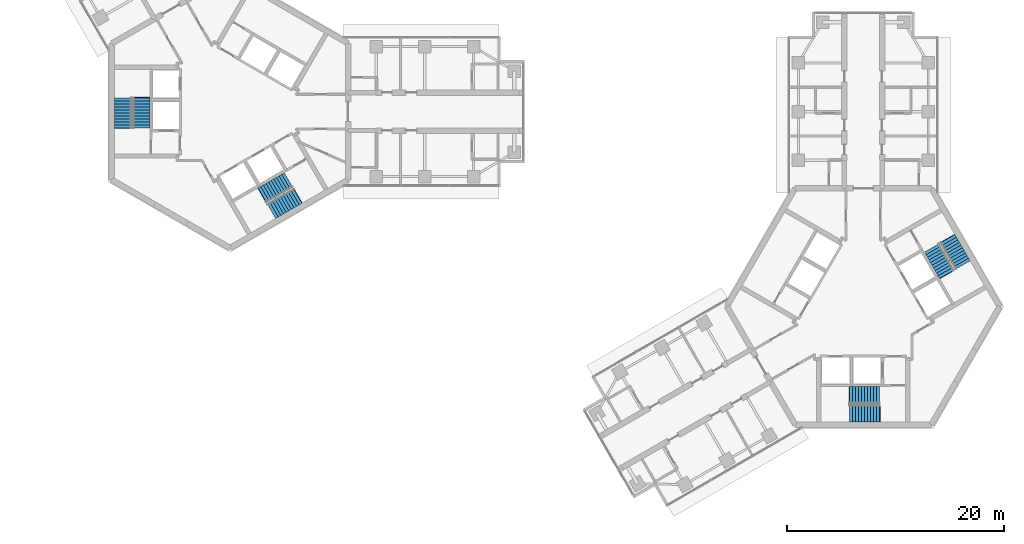
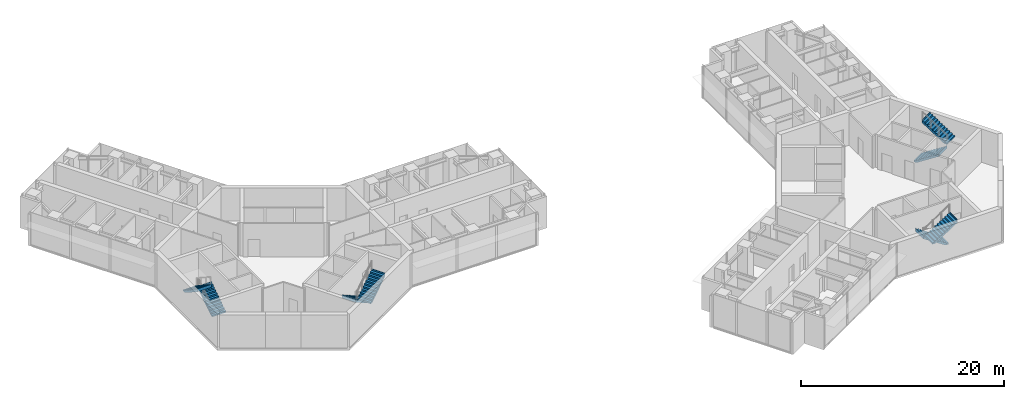
# One storey, part 16 of 17: 8 stair flights, 4 elements without a shape of their own.
"""IFC4 building model written with IfcOpenShell, lengths in metres."""

import ifcopenshell
import ifcopenshell.guid

model = None  # the IFC model being written
_history = None  # IfcOwnerHistory: only IFC2X3 demands one
_inside = {}  # id of a spatial element -> (the spatial element, [elements in it])
_under = {}  # id of a project, library or spatial element -> (it, [spatial elements below it])
_declared = {}  # id of a project -> (the project, [libraries it declares])
_typed = {}  # id of a type object -> (the type object, [elements of that type])
_made_of = {}  # id of a material, layer set ... -> (it, [elements and type objects made of it])


def new_model(schema):
    """Start an empty IFC model of exactly this schema.

    Asked for "IFC4X3", IfcOpenShell would pick the latest addendum, in which some entities
    have other attributes; the version numbers below select the first issue.
    IFC2X3 requires an IfcOwnerHistory on every rooted entity: one is made here for all.
    """
    global model, _history
    if schema == "IFC4X3":
        model = ifcopenshell.file(schema_version=(4, 3, 0, 0))
    else:
        model = ifcopenshell.file(schema=schema)
    _inside.clear()
    _under.clear()
    _declared.clear()
    _typed.clear()
    _made_of.clear()
    _history = None
    if model.schema == "IFC2X3":
        org = make("IfcOrganization", Name="unknown")
        user = make(
            "IfcPersonAndOrganization",
            ThePerson=make("IfcPerson", FamilyName="unknown"),
            TheOrganization=org,
        )
        app = make(
            "IfcApplication",
            ApplicationDeveloper=org,
            Version="unknown",
            ApplicationFullName="unknown",
            ApplicationIdentifier="unknown",
        )
        _history = make(
            "IfcOwnerHistory",
            OwningUser=user,
            OwningApplication=app,
            ChangeAction="ADDED",
            CreationDate=0,
        )
    return model


def make(cls, **values):
    """One entity of the class cls with the attributes given. An attribute that is None is left unset."""
    return model.create_entity(
        cls, **{name: value for name, value in values.items() if value is not None}
    )


def rooted(cls, **values):
    """An entity with a GlobalId (a new one), such as an element, a storey or a relation."""
    return make(cls, GlobalId=ifcopenshell.guid.new(), OwnerHistory=_history, **values)


def si_unit(unit_type, name, prefix=None):
    """IfcSIUnit, for example si_unit("LENGTHUNIT", "METRE", prefix="MILLI")."""
    return make("IfcSIUnit", UnitType=unit_type, Prefix=prefix, Name=name)


def assignment(units):
    """IfcUnitAssignment: the units of a project."""
    return None if units is None else make("IfcUnitAssignment", Units=units)


def point(xyz):
    """IfcCartesianPoint."""
    return None if xyz is None else make("IfcCartesianPoint", Coordinates=xyz)


def direction(xyz):
    """IfcDirection."""
    return None if xyz is None else make("IfcDirection", DirectionRatios=xyz)


def frame(location, z_axis=None, x_axis=None):
    """IfcAxis2Placement3D, a coordinate frame: its origin and axes. An axis left out is left unset."""
    return make(
        "IfcAxis2Placement3D",
        Location=point(location),
        Axis=direction(z_axis),
        RefDirection=direction(x_axis),
    )


def origin():
    """The frame at (0, 0, 0) with its axes left unset."""
    return frame((0.0, 0.0, 0.0))


def place(relative_to, where):
    """IfcLocalPlacement: puts the frame where relative to a parent placement (None: the world)."""
    return make(
        "IfcLocalPlacement", PlacementRelTo=relative_to, RelativePlacement=where
    )


def context(
    kind, dimensions, precision=None, world=None, true_north=None, identifier=None
):
    """IfcGeometricRepresentationContext, for example the 3D "Model" context."""
    return make(
        "IfcGeometricRepresentationContext",
        ContextIdentifier=identifier,
        ContextType=kind,
        CoordinateSpaceDimension=dimensions,
        Precision=precision,
        WorldCoordinateSystem=world,
        TrueNorth=true_north,
    )


def subcontext(parent, identifier, kind, view, scale=None):
    """IfcGeometricRepresentationSubContext, for example "Body" below "Model"."""
    return make(
        "IfcGeometricRepresentationSubContext",
        ContextIdentifier=identifier,
        ContextType=kind,
        ParentContext=parent,
        TargetScale=scale,
        TargetView=view,
    )


def project(units=None, contexts=None):
    """IfcProject with its units and contexts."""
    return rooted(
        "IfcProject",
        Name="project",
        RepresentationContexts=contexts,
        UnitsInContext=assignment(units),
    )


def spatial(cls, under=None, at=None, **own):
    """A site, building, storey or space (cls), placed at a placement, below another one or the project."""
    s = rooted(cls, ObjectPlacement=at, **own)
    if under is not None:
        _under.setdefault(under.id(), (under, []))[1].append(s)
    return s


def polyline(points):
    """IfcPolyline through the points."""
    return make("IfcPolyline", Points=[point(p) for p in points])


def outline(outer, holes=None, kind="AREA"):
    """IfcArbitraryClosedProfileDef: a profile drawn as a closed curve; with holes, ...WithVoids."""
    if holes is None:
        return make("IfcArbitraryClosedProfileDef", ProfileType=kind, OuterCurve=outer)
    return make(
        "IfcArbitraryProfileDefWithVoids",
        ProfileType=kind,
        OuterCurve=outer,
        InnerCurves=holes,
    )


def extrude(swept, where, along, depth):
    """IfcExtrudedAreaSolid: the profile swept, set in the frame where, extruded along a direction by depth."""
    return make(
        "IfcExtrudedAreaSolid",
        SweptArea=swept,
        Position=where,
        ExtrudedDirection=direction(along),
        Depth=depth,
    )


def shape(context_of_items, identifier, shape_type, items):
    """IfcShapeRepresentation: the items that make up one representation, for example the "Body"."""
    return make(
        "IfcShapeRepresentation",
        ContextOfItems=context_of_items,
        RepresentationIdentifier=identifier,
        RepresentationType=shape_type,
        Items=items,
    )


def material(Name=None, Category=None):
    """IfcMaterial."""
    return make("IfcMaterial", Name=Name, Category=Category)


def made_of(thing, what):
    """Note that an element or type object is made of a material, layer set ...; save() writes the relation."""
    if what is not None:
        _made_of.setdefault(what.id(), (what, []))[1].append(thing)
    return thing


def type_object(cls, material=None, **own):
    """A type object (cls), such as IfcWallType, which elements share."""
    return made_of(rooted(cls, **own), material)


def element(
    cls,
    number,
    at=None,
    inside=None,
    cuts=None,
    type_object=None,
    material=None,
    context=None,
    identifier="Body",
    shape_type=None,
    held_by="IfcProductDefinitionShape",
    body=None,
    shapes=None,
    **own,
):
    """One element of the class cls, such as IfcWall. Its Tag is "e" and its number.

    at: its placement. inside: the storey or other place that contains it. cuts: it is an
    opening in that element (IfcRelVoidsElement). A single representation is given by context,
    identifier, shape_type and body (its items); several are given by shapes. held_by: the class
    of the entity that holds the representations. save() writes the other relations.
    """
    e = rooted(cls, Tag="e%d" % number, ObjectPlacement=at, **own)
    if body is not None:
        shapes = [shape(context, identifier, shape_type, body)]
    if shapes is not None:
        e.Representation = make(held_by, Representations=shapes)
    if inside is not None:
        _inside.setdefault(inside.id(), (inside, []))[1].append(e)
    if cuts is not None:
        rooted(
            "IfcRelVoidsElement", RelatingBuildingElement=cuts, RelatedOpeningElement=e
        )
    if type_object is not None:
        _typed.setdefault(type_object.id(), (type_object, []))[1].append(e)
    return made_of(e, material)


def aggregate(whole, parts):
    """IfcRelAggregates: a whole, such as a stair, and the parts it consists of."""
    return rooted("IfcRelAggregates", RelatingObject=whole, RelatedObjects=parts)


def save(model, path):
    """Write the relations noted so far, then the file.

    IfcRelAggregates (storeys below a building ...), IfcRelContainedInSpatialStructure (elements
    in a storey), IfcRelDefinesByType, IfcRelAssociatesMaterial and IfcRelDeclares: one each for
    every whole, place, type object, material and project.
    """
    for whole, parts in _under.values():
        aggregate(whole, parts)
    for where, things in _inside.values():
        rooted(
            "IfcRelContainedInSpatialStructure",
            RelatedElements=things,
            RelatingStructure=where,
        )
    for kind, things in _typed.values():
        rooted("IfcRelDefinesByType", RelatedObjects=things, RelatingType=kind)
    for what, things in _made_of.values():
        rooted("IfcRelAssociatesMaterial", RelatedObjects=things, RelatingMaterial=what)
    for by, libraries in _declared.values():
        rooted("IfcRelDeclares", RelatingContext=by, RelatedDefinitions=libraries)
    model.write(path)


model = new_model("IFC4")

# Units and contexts
model_context = context("Model", 3, precision=1e-05, world=origin(), true_north=direction((0.0, 1.0)))
body_context = subcontext(model_context, "Body", "Model", "MODEL_VIEW")
ifc_project = project(units=[si_unit("LENGTHUNIT", "METRE"), si_unit("AREAUNIT", "SQUARE_METRE"), si_unit("VOLUMEUNIT", "CUBIC_METRE"), si_unit("PLANEANGLEUNIT", "RADIAN"), si_unit("MASSUNIT", "GRAM", prefix="KILO")], contexts=[model_context])

# Site, building, storey
site_placement = place(None, origin())
site = spatial("IfcSite", under=ifc_project, at=site_placement, CompositionType="ELEMENT")
building_placement = place(site_placement, origin())
building = spatial("IfcBuilding", under=site, at=building_placement, Name="Upepo Twin Towers", CompositionType="ELEMENT")
storey_placement = place(building_placement, frame((0.0, 0.0, 202.5)))
storey = spatial("IfcBuildingStorey", under=building, at=storey_placement, Name="L49", CompositionType="ELEMENT", Elevation=202.5)

# Stair, stair flights
ifc_material_1 = material(Name="Concrete C40/50", Category="concrete")
stair_type = type_object("IfcStairType", Name="Core stair, two flights", PredefinedType="HALF_TURN_STAIR", material=ifc_material_1)
stair_1_placement = place(storey_placement, origin())
stair_1 = element("IfcStair", 1, at=stair_1_placement, inside=storey, type_object=stair_type, Name="T1 stair S1 L49", PredefinedType="HALF_TURN_STAIR")
ifc_material_2 = material(Name="Concrete C40/50", Category="concrete")
stair_flight_type = type_object("IfcStairFlightType", Name="Stair flight 1550 RC", PredefinedType="STRAIGHT", material=ifc_material_2)
stair_flight_1_placement = place(storey_placement, frame((-8.175048828125, -1.52001953125, 0.0), z_axis=(0.0, 0.0, 1.0), x_axis=(0.0, 1.0, 0.0)))
stair_flight_1 = element("IfcStairFlight", 2, at=stair_flight_1_placement, type_object=stair_flight_type, Name="Stair S1 flight 1", NumberOfRisers=11, NumberOfTreads=10, PredefinedType="STRAIGHT", RiserHeight=0.181818182, TreadLength=0.28, context=body_context, shape_type="SweptSolid", body=[
    extrude(outline(polyline([(0.0, 0.0), (0.0, 0.181884765625), (0.280029296875, 0.181884765625), (0.280029296875, 0.363525390625), (0.56005859375, 0.363525390625), (0.56005859375, 0.54541015625), (0.840087890625, 0.54541015625), (0.840087890625, 0.727294921875), (1.1201171875, 0.727294921875), (1.1201171875, 0.9091796875), (1.39990234375, 0.9091796875), (1.39990234375, 1.0908203125), (1.679931640625, 1.0908203125), (1.679931640625, 1.272705078125), (1.9599609375, 1.272705078125), (1.9599609375, 1.45458984375), (2.239990234375, 1.45458984375), (2.239990234375, 1.636474609375), (2.52001953125, 1.636474609375), (2.52001953125, 1.818115234375), (2.800048828125, 1.818115234375), (2.800048828125, 2.0), (2.85009765625, 2.0), (2.85009765625, 1.639404296875), (0.3251953125, 0.0), (0.0, 0.0)])), frame((0.0, 0.77490234375, 0.0), z_axis=(0.0, -1.0, 0.0), x_axis=(1.0, 0.0, 0.0)), (0.0, 0.0, 1.0), 1.550048828125),
])
stair_flight_2_placement = place(storey_placement, frame((-9.88330078125, 1.280029296875, 2.0), z_axis=(0.0, 0.0, 1.0), x_axis=(0.0, -1.0, 0.0)))
stair_flight_2 = element("IfcStairFlight", 3, at=stair_flight_2_placement, type_object=stair_flight_type, Name="Stair S1 flight 2", NumberOfRisers=11, NumberOfTreads=10, PredefinedType="STRAIGHT", RiserHeight=0.181818182, TreadLength=0.28, context=body_context, shape_type="SweptSolid", body=[
    extrude(outline(polyline([(0.0, 0.0), (0.0, 0.181884765625), (0.280029296875, 0.181884765625), (0.280029296875, 0.363525390625), (0.56005859375, 0.363525390625), (0.56005859375, 0.54541015625), (0.840087890625, 0.54541015625), (0.840087890625, 0.727294921875), (1.1201171875, 0.727294921875), (1.1201171875, 0.9091796875), (1.39990234375, 0.9091796875), (1.39990234375, 1.0908203125), (1.679931640625, 1.0908203125), (1.679931640625, 1.272705078125), (1.9599609375, 1.272705078125), (1.9599609375, 1.45458984375), (2.239990234375, 1.45458984375), (2.239990234375, 1.636474609375), (2.52001953125, 1.636474609375), (2.52001953125, 1.818115234375), (2.800048828125, 1.818115234375), (2.800048828125, 2.0), (2.85009765625, 2.0), (2.85009765625, 1.639404296875), (0.3251953125, 0.0), (0.0, 0.0)])), frame((0.0, 0.77490234375, 0.0), z_axis=(0.0, -1.0, 0.0), x_axis=(1.0, 0.0, 0.0)), (0.0, 0.0, 1.0), 1.550048828125),
])
aggregate(stair_1, [stair_flight_1, stair_flight_2])

stair_2_placement = place(storey_placement, origin())
stair_2 = element("IfcStair", 4, at=stair_2_placement, inside=storey, type_object=stair_type, Name="T1 stair S2 L49", PredefinedType="HALF_TURN_STAIR")
stair_flight_3_placement = place(storey_placement, frame((5.40380859375, -6.31982421875, 0.0), z_axis=(0.0, 0.0, 1.0), x_axis=(-0.866025403784, -0.5, 0.0)))
stair_flight_3 = element("IfcStairFlight", 5, at=stair_flight_3_placement, type_object=stair_flight_type, Name="Stair S2 flight 1", NumberOfRisers=11, NumberOfTreads=10, PredefinedType="STRAIGHT", RiserHeight=0.181818182, TreadLength=0.28, context=body_context, shape_type="SweptSolid", body=[
    extrude(outline(polyline([(0.0, 0.0), (0.0, 0.181884765625), (0.280029296875, 0.181884765625), (0.280029296875, 0.363525390625), (0.56005859375, 0.363525390625), (0.56005859375, 0.54541015625), (0.840087890625, 0.54541015625), (0.840087890625, 0.727294921875), (1.1201171875, 0.727294921875), (1.1201171875, 0.9091796875), (1.39990234375, 0.9091796875), (1.39990234375, 1.0908203125), (1.679931640625, 1.0908203125), (1.679931640625, 1.272705078125), (1.9599609375, 1.272705078125), (1.9599609375, 1.45458984375), (2.239990234375, 1.45458984375), (2.239990234375, 1.636474609375), (2.52001953125, 1.636474609375), (2.52001953125, 1.818115234375), (2.800048828125, 1.818115234375), (2.800048828125, 2.0), (2.85009765625, 2.0), (2.85009765625, 1.639404296875), (0.3251953125, 0.0), (0.0, 0.0)])), frame((0.0, 0.77490234375, 0.0), z_axis=(0.0, -1.0, 0.0), x_axis=(1.0, 0.0, 0.0)), (0.0, 0.0, 1.0), 1.550048828125),
])
stair_flight_4_placement = place(storey_placement, frame((3.833251953125, -9.19921875, 2.0), z_axis=(0.0, 0.0, 1.0), x_axis=(0.866025403784, 0.5, 0.0)))
stair_flight_4 = element("IfcStairFlight", 6, at=stair_flight_4_placement, type_object=stair_flight_type, Name="Stair S2 flight 2", NumberOfRisers=11, NumberOfTreads=10, PredefinedType="STRAIGHT", RiserHeight=0.181818182, TreadLength=0.28, context=body_context, shape_type="SweptSolid", body=[
    extrude(outline(polyline([(0.0, 0.0), (0.0, 0.181884765625), (0.280029296875, 0.181884765625), (0.280029296875, 0.363525390625), (0.56005859375, 0.363525390625), (0.56005859375, 0.54541015625), (0.840087890625, 0.54541015625), (0.840087890625, 0.727294921875), (1.1201171875, 0.727294921875), (1.1201171875, 0.9091796875), (1.39990234375, 0.9091796875), (1.39990234375, 1.0908203125), (1.679931640625, 1.0908203125), (1.679931640625, 1.272705078125), (1.9599609375, 1.272705078125), (1.9599609375, 1.45458984375), (2.239990234375, 1.45458984375), (2.239990234375, 1.636474609375), (2.52001953125, 1.636474609375), (2.52001953125, 1.818115234375), (2.800048828125, 1.818115234375), (2.800048828125, 2.0), (2.85009765625, 2.0), (2.85009765625, 1.639404296875), (0.3251953125, 0.0), (0.0, 0.0)])), frame((0.0, 0.77490234375, 0.0), z_axis=(0.0, -1.0, 0.0), x_axis=(1.0, 0.0, 0.0)), (0.0, 0.0, 1.0), 1.550048828125),
])
aggregate(stair_2, [stair_flight_3, stair_flight_4])

stair_3_placement = place(storey_placement, origin())
stair_3 = element("IfcStair", 7, at=stair_3_placement, inside=storey, type_object=stair_type, Name="T2 stair S1 L49", PredefinedType="HALF_TURN_STAIR")
stair_flight_5_placement = place(storey_placement, frame((60.02001953125, -26.175048828125, 0.0), z_axis=(0.0, 0.0, 1.0), x_axis=(-1.0, 0.0, 0.0)))
stair_flight_5 = element("IfcStairFlight", 8, at=stair_flight_5_placement, type_object=stair_flight_type, Name="Stair S1 flight 1", NumberOfRisers=11, NumberOfTreads=10, PredefinedType="STRAIGHT", RiserHeight=0.181818182, TreadLength=0.28, context=body_context, shape_type="SweptSolid", body=[
    extrude(outline(polyline([(0.0, 0.0), (0.0, 0.181884765625), (0.280029296875, 0.181884765625), (0.280029296875, 0.363525390625), (0.56005859375, 0.363525390625), (0.56005859375, 0.54541015625), (0.840087890625, 0.54541015625), (0.840087890625, 0.727294921875), (1.1201171875, 0.727294921875), (1.1201171875, 0.9091796875), (1.39990234375, 0.9091796875), (1.39990234375, 1.0908203125), (1.679931640625, 1.0908203125), (1.679931640625, 1.272705078125), (1.9599609375, 1.272705078125), (1.9599609375, 1.45458984375), (2.239990234375, 1.45458984375), (2.239990234375, 1.636474609375), (2.52001953125, 1.636474609375), (2.52001953125, 1.818115234375), (2.800048828125, 1.818115234375), (2.800048828125, 2.0), (2.85009765625, 2.0), (2.85009765625, 1.639404296875), (0.3251953125, 0.0), (0.0, 0.0)])), frame((0.0, 0.77490234375, 0.0), z_axis=(0.0, -1.0, 0.0), x_axis=(1.0, 0.0, 0.0)), (0.0, 0.0, 1.0), 1.550048828125),
])
stair_flight_6_placement = place(storey_placement, frame((57.219970703125, -27.88330078125, 2.0), z_axis=(0.0, 0.0, 1.0), x_axis=(1.0, 0.0, 0.0)))
stair_flight_6 = element("IfcStairFlight", 9, at=stair_flight_6_placement, type_object=stair_flight_type, Name="Stair S1 flight 2", NumberOfRisers=11, NumberOfTreads=10, PredefinedType="STRAIGHT", RiserHeight=0.181818182, TreadLength=0.28, context=body_context, shape_type="SweptSolid", body=[
    extrude(outline(polyline([(0.0, 0.0), (0.0, 0.181884765625), (0.280029296875, 0.181884765625), (0.280029296875, 0.363525390625), (0.56005859375, 0.363525390625), (0.56005859375, 0.54541015625), (0.840087890625, 0.54541015625), (0.840087890625, 0.727294921875), (1.1201171875, 0.727294921875), (1.1201171875, 0.9091796875), (1.39990234375, 0.9091796875), (1.39990234375, 1.0908203125), (1.679931640625, 1.0908203125), (1.679931640625, 1.272705078125), (1.9599609375, 1.272705078125), (1.9599609375, 1.45458984375), (2.239990234375, 1.45458984375), (2.239990234375, 1.636474609375), (2.52001953125, 1.636474609375), (2.52001953125, 1.818115234375), (2.800048828125, 1.818115234375), (2.800048828125, 2.0), (2.85009765625, 2.0), (2.85009765625, 1.639404296875), (0.3251953125, 0.0), (0.0, 0.0)])), frame((0.0, 0.77490234375, 0.0), z_axis=(0.0, -1.0, 0.0), x_axis=(1.0, 0.0, 0.0)), (0.0, 0.0, 1.0), 1.550048828125),
])
aggregate(stair_3, [stair_flight_5, stair_flight_6])

stair_4_placement = place(storey_placement, origin())
stair_4 = element("IfcStair", 10, at=stair_4_placement, inside=storey, type_object=stair_type, Name="T2 stair S2 L49", PredefinedType="HALF_TURN_STAIR")
stair_flight_7_placement = place(storey_placement, frame((64.81982421875, -12.59619140625, 0.0), z_axis=(0.0, 0.0, 1.0), x_axis=(0.5, -0.866025403784, 0.0)))
stair_flight_7 = element("IfcStairFlight", 11, at=stair_flight_7_placement, type_object=stair_flight_type, Name="Stair S2 flight 1", NumberOfRisers=11, NumberOfTreads=10, PredefinedType="STRAIGHT", RiserHeight=0.181818182, TreadLength=0.28, context=body_context, shape_type="SweptSolid", body=[
    extrude(outline(polyline([(0.0, 0.0), (0.0, 0.181884765625), (0.280029296875, 0.181884765625), (0.280029296875, 0.363525390625), (0.56005859375, 0.363525390625), (0.56005859375, 0.54541015625), (0.840087890625, 0.54541015625), (0.840087890625, 0.727294921875), (1.1201171875, 0.727294921875), (1.1201171875, 0.9091796875), (1.39990234375, 0.9091796875), (1.39990234375, 1.0908203125), (1.679931640625, 1.0908203125), (1.679931640625, 1.272705078125), (1.9599609375, 1.272705078125), (1.9599609375, 1.45458984375), (2.239990234375, 1.45458984375), (2.239990234375, 1.636474609375), (2.52001953125, 1.636474609375), (2.52001953125, 1.818115234375), (2.800048828125, 1.818115234375), (2.800048828125, 2.0), (2.85009765625, 2.0), (2.85009765625, 1.639404296875), (0.3251953125, 0.0), (0.0, 0.0)])), frame((0.0, 0.77490234375, 0.0), z_axis=(0.0, -1.0, 0.0), x_axis=(1.0, 0.0, 0.0)), (0.0, 0.0, 1.0), 1.550048828125),
])
stair_flight_8_placement = place(storey_placement, frame((67.69921875, -14.166748046875, 2.0), z_axis=(0.0, 0.0, 1.0), x_axis=(-0.5, 0.866025403784, 0.0)))
stair_flight_8 = element("IfcStairFlight", 12, at=stair_flight_8_placement, type_object=stair_flight_type, Name="Stair S2 flight 2", NumberOfRisers=11, NumberOfTreads=10, PredefinedType="STRAIGHT", RiserHeight=0.181818182, TreadLength=0.28, context=body_context, shape_type="SweptSolid", body=[
    extrude(outline(polyline([(0.0, 0.0), (0.0, 0.181884765625), (0.280029296875, 0.181884765625), (0.280029296875, 0.363525390625), (0.56005859375, 0.363525390625), (0.56005859375, 0.54541015625), (0.840087890625, 0.54541015625), (0.840087890625, 0.727294921875), (1.1201171875, 0.727294921875), (1.1201171875, 0.9091796875), (1.39990234375, 0.9091796875), (1.39990234375, 1.0908203125), (1.679931640625, 1.0908203125), (1.679931640625, 1.272705078125), (1.9599609375, 1.272705078125), (1.9599609375, 1.45458984375), (2.239990234375, 1.45458984375), (2.239990234375, 1.636474609375), (2.52001953125, 1.636474609375), (2.52001953125, 1.818115234375), (2.800048828125, 1.818115234375), (2.800048828125, 2.0), (2.85009765625, 2.0), (2.85009765625, 1.639404296875), (0.3251953125, 0.0), (0.0, 0.0)])), frame((0.0, 0.77490234375, 0.0), z_axis=(0.0, -1.0, 0.0), x_axis=(1.0, 0.0, 0.0)), (0.0, 0.0, 1.0), 1.550048828125),
])
aggregate(stair_4, [stair_flight_7, stair_flight_8])

save(model, "model.ifc")
